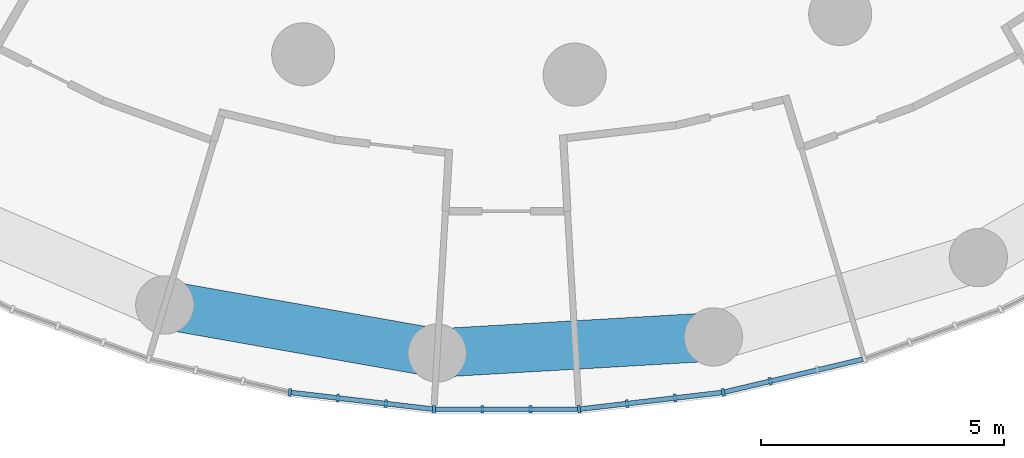
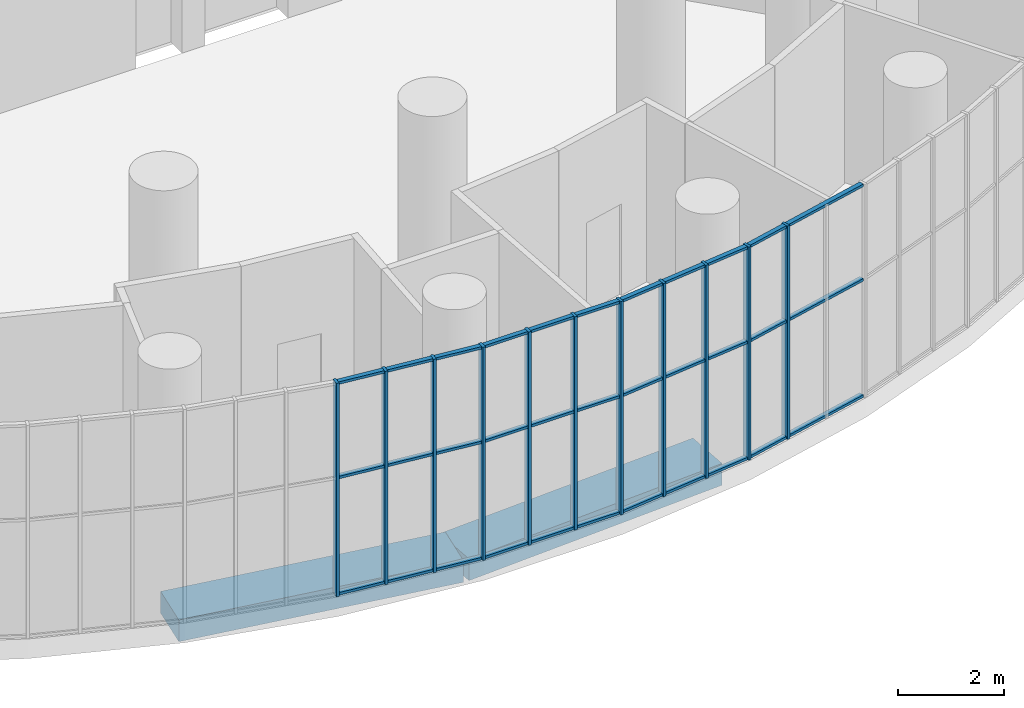
# One storey, part 3 of 21: 23 members, 2 beams, 4 elements without a shape of their own.
"""IFC4 building model written with IfcOpenShell, lengths in metres."""

from ifc_helpers import new_model, si_unit, direction, frame, origin, origin_2d, place, context, subcontext, project, spatial, rectangle, extrude, material, layer, layer_set, material_profile, profile_set, type_object, element, aggregate, save


model = new_model("IFC4")

# Units and contexts
model_context = context("Model", 3, precision=1e-05, world=origin(), true_north=direction((0.0, 1.0)))
body_context = subcontext(model_context, "Body", "Model", "MODEL_VIEW")
ifc_project = project(units=[si_unit("LENGTHUNIT", "METRE"), si_unit("AREAUNIT", "SQUARE_METRE"), si_unit("VOLUMEUNIT", "CUBIC_METRE"), si_unit("PLANEANGLEUNIT", "RADIAN"), si_unit("MASSUNIT", "GRAM", prefix="KILO")], contexts=[model_context])

# Site, building, storey
site_placement = place(None, origin())
site = spatial("IfcSite", under=ifc_project, at=site_placement, CompositionType="ELEMENT")
building_placement = place(site_placement, origin())
building = spatial("IfcBuilding", under=site, at=building_placement, Name="Tracery Tower", CompositionType="ELEMENT")
storey_placement = place(building_placement, frame((0.0, 0.0, 219.60009765625)))
storey = spatial("IfcBuildingStorey", under=building, at=storey_placement, Name="L57", CompositionType="ELEMENT", Elevation=219.60009765625)

# Beams
ifc_material_1 = material(Name="Concrete C50/60", Category="concrete")
ifc_material_profile_1 = material_profile(ifc_material_1, rectangle(XDim=1.0, YDim=0.5, at=origin_2d()), Name="RC 1000x500")
ifc_profile_set_1 = profile_set([ifc_material_profile_1], Name="Concrete C50/60")
beam_type = type_object("IfcBeamType", Name="Perimeter band beam 1000x500 under 450 slab", PredefinedType="BEAM", material=ifc_profile_set_1)
beam_1_placement = place(storey_placement, frame((-7.040283203125, -23.516357421875, -0.7001953125), z_axis=(0.984807266719, -0.173650935552, 0.0), x_axis=(0.173650935552, 0.984807266719, 0.0)))
element("IfcBeam", 1, at=beam_1_placement, inside=storey, type_object=beam_type, Name="Perimeter beam 1.19 under L57", PredefinedType="BEAM", context=body_context, shape_type="SweptSolid", body=[
    extrude(rectangle(XDim=1.0, YDim=0.5, at=origin_2d()), origin(), (0.0, 0.0, 1.0), 5.69970703125),
])
beam_2_placement = place(storey_placement, frame((-1.42724609375, -24.506103515625, -0.7001953125), z_axis=(0.99830920221, 0.058126902403, 0.0), x_axis=(-0.058126902403, 0.99830920221, 0.0)))
element("IfcBeam", 2, at=beam_2_placement, inside=storey, type_object=beam_type, Name="Perimeter beam 1.20 under L57", PredefinedType="BEAM", context=body_context, shape_type="SweptSolid", body=[
    extrude(rectangle(XDim=1.0, YDim=0.5, at=origin_2d()), origin(), (0.0, 0.0, 1.0), 5.699462890625),
])

# Curtain wall, members
ifc_material_2 = material(Name="Aluminium curtain wall with tinted glass", Category="aluminium")
ifc_layer = layer(ifc_material_2, 0.159912109375)
ifc_layer_set = layer_set([ifc_layer], Name="Sky lounge 2 tracery curtain wall")
curtain_wall_type = type_object("IfcCurtainWallType", Name="Sky lounge 2 tracery curtain wall", PredefinedType="NOTDEFINED", material=ifc_layer_set)
curtain_wall_1_placement = place(storey_placement, origin())
curtain_wall_1 = element("IfcCurtainWall", 3, at=curtain_wall_1_placement, inside=storey, type_object=curtain_wall_type, Name="Sky lounge 2 curtain wall run 40", PredefinedType="NOTDEFINED")
ifc_material_3 = material(Name="Aluminium, bronze anodised", Category="aluminium")
ifc_material_profile_2 = material_profile(ifc_material_3, rectangle(XDim=0.159912109375, YDim=0.06005859375, at=origin_2d()), Name="AL 60x160")
ifc_profile_set_2 = profile_set([ifc_material_profile_2], Name="Aluminium, bronze anodised")
member_type_1 = type_object("IfcMemberType", Name="Sky lounge 2 mullion 60 x 160", PredefinedType="MULLION", material=ifc_profile_set_2)
member_1_placement = place(storey_placement, frame((-4.464111328125, -25.31689453125, 0.0), z_axis=(0.0, 0.0, 1.0), x_axis=(0.116092914131, 0.993238357741, 0.0)))
member_1 = element("IfcMember", 4, at=member_1_placement, type_object=member_type_1, Name="Sky lounge 2 curtain wall run 40 mullion 1", PredefinedType="MULLION", context=body_context, shape_type="SweptSolid", body=[
    extrude(rectangle(XDim=0.159912109375, YDim=0.06005859375, at=origin_2d()), origin(), (0.0, 0.0, 1.0), 4.89990234375),
])
member_2_placement = place(storey_placement, frame((-3.474365234375, -25.4326171875, 0.0), z_axis=(0.0, 0.0, 1.0), x_axis=(0.116092914131, 0.993238357741, 0.0)))
member_2 = element("IfcMember", 5, at=member_2_placement, type_object=member_type_1, Name="Sky lounge 2 curtain wall run 40 mullion 2", PredefinedType="MULLION", context=body_context, shape_type="SweptSolid", body=[
    extrude(rectangle(XDim=0.159912109375, YDim=0.06005859375, at=origin_2d()), origin(), (0.0, 0.0, 1.0), 4.89990234375),
])
member_3_placement = place(storey_placement, frame((-2.484619140625, -25.54833984375, 0.0), z_axis=(0.0, 0.0, 1.0), x_axis=(0.116092914131, 0.993238357741, 0.0)))
member_3 = element("IfcMember", 6, at=member_3_placement, type_object=member_type_1, Name="Sky lounge 2 curtain wall run 40 mullion 3", PredefinedType="MULLION", context=body_context, shape_type="SweptSolid", body=[
    extrude(rectangle(XDim=0.159912109375, YDim=0.06005859375, at=origin_2d()), origin(), (0.0, 0.0, 1.0), 4.89990234375),
])

curtain_wall_2_placement = place(storey_placement, origin())
curtain_wall_2 = element("IfcCurtainWall", 7, at=curtain_wall_2_placement, inside=storey, type_object=curtain_wall_type, Name="Sky lounge 2 curtain wall run 41", PredefinedType="NOTDEFINED")
member_4_placement = place(storey_placement, frame((-1.494873046875, -25.6640625, 0.0), z_axis=(0.0, 0.0, 1.0), x_axis=(0.0, 1.0, 0.0)))
member_4 = element("IfcMember", 8, at=member_4_placement, type_object=member_type_1, Name="Sky lounge 2 curtain wall run 41 mullion 1", PredefinedType="MULLION", context=body_context, shape_type="SweptSolid", body=[
    extrude(rectangle(XDim=0.159912109375, YDim=0.06005859375, at=origin_2d()), origin(), (0.0, 0.0, 1.0), 4.89990234375),
])
member_5_placement = place(storey_placement, frame((-0.498291015625, -25.6640625, 0.0), z_axis=(0.0, 0.0, 1.0), x_axis=(0.0, 1.0, 0.0)))
member_5 = element("IfcMember", 9, at=member_5_placement, type_object=member_type_1, Name="Sky lounge 2 curtain wall run 41 mullion 2", PredefinedType="MULLION", context=body_context, shape_type="SweptSolid", body=[
    extrude(rectangle(XDim=0.159912109375, YDim=0.06005859375, at=origin_2d()), origin(), (0.0, 0.0, 1.0), 4.89990234375),
])
member_6_placement = place(storey_placement, frame((0.498291015625, -25.6640625, 0.0), z_axis=(0.0, 0.0, 1.0), x_axis=(0.0, 1.0, 0.0)))
member_6 = element("IfcMember", 10, at=member_6_placement, type_object=member_type_1, Name="Sky lounge 2 curtain wall run 41 mullion 3", PredefinedType="MULLION", context=body_context, shape_type="SweptSolid", body=[
    extrude(rectangle(XDim=0.159912109375, YDim=0.06005859375, at=origin_2d()), origin(), (0.0, 0.0, 1.0), 4.89990234375),
])

curtain_wall_3_placement = place(storey_placement, origin())
curtain_wall_3 = element("IfcCurtainWall", 11, at=curtain_wall_3_placement, inside=storey, type_object=curtain_wall_type, Name="Sky lounge 2 curtain wall run 42", PredefinedType="NOTDEFINED")
member_7_placement = place(storey_placement, frame((1.494873046875, -25.6640625, 0.0), z_axis=(0.0, 0.0, 1.0), x_axis=(-0.116092914131, 0.993238357741, 0.0)))
member_7 = element("IfcMember", 12, at=member_7_placement, type_object=member_type_1, Name="Sky lounge 2 curtain wall run 42 mullion 1", PredefinedType="MULLION", context=body_context, shape_type="SweptSolid", body=[
    extrude(rectangle(XDim=0.159912109375, YDim=0.06005859375, at=origin_2d()), origin(), (0.0, 0.0, 1.0), 4.89990234375),
])
member_8_placement = place(storey_placement, frame((2.484619140625, -25.54833984375, 0.0), z_axis=(0.0, 0.0, 1.0), x_axis=(-0.116092914131, 0.993238357741, 0.0)))
member_8 = element("IfcMember", 13, at=member_8_placement, type_object=member_type_1, Name="Sky lounge 2 curtain wall run 42 mullion 2", PredefinedType="MULLION", context=body_context, shape_type="SweptSolid", body=[
    extrude(rectangle(XDim=0.159912109375, YDim=0.06005859375, at=origin_2d()), origin(), (0.0, 0.0, 1.0), 4.89990234375),
])
member_9_placement = place(storey_placement, frame((3.474365234375, -25.4326171875, 0.0), z_axis=(0.0, 0.0, 1.0), x_axis=(-0.116092914131, 0.993238357741, 0.0)))
member_9 = element("IfcMember", 14, at=member_9_placement, type_object=member_type_1, Name="Sky lounge 2 curtain wall run 42 mullion 3", PredefinedType="MULLION", context=body_context, shape_type="SweptSolid", body=[
    extrude(rectangle(XDim=0.159912109375, YDim=0.06005859375, at=origin_2d()), origin(), (0.0, 0.0, 1.0), 4.89990234375),
])

curtain_wall_4_placement = place(storey_placement, origin())
curtain_wall_4 = element("IfcCurtainWall", 15, at=curtain_wall_4_placement, inside=storey, type_object=curtain_wall_type, Name="Sky lounge 2 curtain wall run 43", PredefinedType="NOTDEFINED")
member_10_placement = place(storey_placement, frame((4.464111328125, -25.31689453125, 0.0), z_axis=(0.0, 0.0, 1.0), x_axis=(-0.230615870737, 0.973044870581, 0.0)))
member_10 = element("IfcMember", 16, at=member_10_placement, type_object=member_type_1, Name="Sky lounge 2 curtain wall run 43 mullion 1", PredefinedType="MULLION", context=body_context, shape_type="SweptSolid", body=[
    extrude(rectangle(XDim=0.159912109375, YDim=0.06005859375, at=origin_2d()), origin(), (0.0, 0.0, 1.0), 4.89990234375),
])
member_11_placement = place(storey_placement, frame((5.43359375, -25.087158203125, 0.0), z_axis=(0.0, 0.0, 1.0), x_axis=(-0.230615870737, 0.973044870581, 0.0)))
member_11 = element("IfcMember", 17, at=member_11_placement, type_object=member_type_1, Name="Sky lounge 2 curtain wall run 43 mullion 2", PredefinedType="MULLION", context=body_context, shape_type="SweptSolid", body=[
    extrude(rectangle(XDim=0.159912109375, YDim=0.06005859375, at=origin_2d()), origin(), (0.0, 0.0, 1.0), 4.89990234375),
])

# Member
ifc_material_4 = material(Name="Aluminium, bronze anodised", Category="aluminium")
ifc_material_profile_3 = material_profile(ifc_material_4, rectangle(XDim=0.10009765625, YDim=0.06005859375, at=origin_2d()), Name="AL 60x100")
ifc_profile_set_3 = profile_set([ifc_material_profile_3], Name="Aluminium, bronze anodised")
member_type_2 = type_object("IfcMemberType", Name="Sky lounge 2 transom 60 x 100", PredefinedType="USERDEFINED", material=ifc_profile_set_3)
member_12_placement = place(storey_placement, frame((-4.434326171875, -25.320556640625, 0.02978515625), z_axis=(0.993238496271, -0.116091728923, 0.0), x_axis=(0.116091728923, 0.993238496271, 0.0)))
member_12 = element("IfcMember", 18, at=member_12_placement, type_object=member_type_2, Name="Sky lounge 2 curtain wall run 40 transom 1", ObjectType="TRANSOM", PredefinedType="USERDEFINED", context=body_context, shape_type="SweptSolid", body=[
    extrude(rectangle(XDim=0.10009765625, YDim=0.06005859375, at=origin_2d()), origin(), (0.0, 0.0, 1.0), 2.929443359375),
])

member_13_placement = place(storey_placement, frame((-4.434326171875, -25.320556640625, 2.699951171875), z_axis=(0.993238496271, -0.116091728923, 0.0), x_axis=(0.116091728923, 0.993238496271, 0.0)))
member_13 = element("IfcMember", 19, at=member_13_placement, type_object=member_type_2, Name="Sky lounge 2 curtain wall run 40 transom 2", ObjectType="TRANSOM", PredefinedType="USERDEFINED", context=body_context, shape_type="SweptSolid", body=[
    extrude(rectangle(XDim=0.10009765625, YDim=0.06005859375, at=origin_2d()), origin(), (0.0, 0.0, 1.0), 2.929443359375),
])

member_14_placement = place(storey_placement, frame((-4.434326171875, -25.320556640625, 4.869873046875), z_axis=(0.993238496271, -0.116091728923, 0.0), x_axis=(0.116091728923, 0.993238496271, 0.0)))
member_14 = element("IfcMember", 20, at=member_14_placement, type_object=member_type_2, Name="Sky lounge 2 curtain wall run 40 transom 3", ObjectType="TRANSOM", PredefinedType="USERDEFINED", context=body_context, shape_type="SweptSolid", body=[
    extrude(rectangle(XDim=0.10009765625, YDim=0.06005859375, at=origin_2d()), origin(), (0.0, 0.0, 1.0), 2.929443359375),
])

aggregate(curtain_wall_1, [member_1, member_2, member_3, member_12, member_13, member_14])

member_15_placement = place(storey_placement, frame((-1.46484375, -25.6640625, 0.02978515625), z_axis=(1.0, 0.0, 0.0), x_axis=(0.0, 1.0, 0.0)))
member_15 = element("IfcMember", 21, at=member_15_placement, type_object=member_type_2, Name="Sky lounge 2 curtain wall run 41 transom 1", ObjectType="TRANSOM", PredefinedType="USERDEFINED", context=body_context, shape_type="SweptSolid", body=[
    extrude(rectangle(XDim=0.10009765625, YDim=0.06005859375, at=origin_2d()), origin(), (0.0, 0.0, 1.0), 2.9296875),
])

member_16_placement = place(storey_placement, frame((-1.46484375, -25.6640625, 2.699951171875), z_axis=(1.0, 0.0, 0.0), x_axis=(0.0, 1.0, 0.0)))
member_16 = element("IfcMember", 22, at=member_16_placement, type_object=member_type_2, Name="Sky lounge 2 curtain wall run 41 transom 2", ObjectType="TRANSOM", PredefinedType="USERDEFINED", context=body_context, shape_type="SweptSolid", body=[
    extrude(rectangle(XDim=0.10009765625, YDim=0.06005859375, at=origin_2d()), origin(), (0.0, 0.0, 1.0), 2.9296875),
])

member_17_placement = place(storey_placement, frame((-1.46484375, -25.6640625, 4.869873046875), z_axis=(1.0, 0.0, 0.0), x_axis=(0.0, 1.0, 0.0)))
member_17 = element("IfcMember", 23, at=member_17_placement, type_object=member_type_2, Name="Sky lounge 2 curtain wall run 41 transom 3", ObjectType="TRANSOM", PredefinedType="USERDEFINED", context=body_context, shape_type="SweptSolid", body=[
    extrude(rectangle(XDim=0.10009765625, YDim=0.06005859375, at=origin_2d()), origin(), (0.0, 0.0, 1.0), 2.9296875),
])

aggregate(curtain_wall_2, [member_4, member_5, member_6, member_15, member_16, member_17])

member_18_placement = place(storey_placement, frame((1.524658203125, -25.66064453125, 0.02978515625), z_axis=(0.993238496271, 0.116091728923, 0.0), x_axis=(-0.116091728923, 0.993238496271, 0.0)))
member_18 = element("IfcMember", 24, at=member_18_placement, type_object=member_type_2, Name="Sky lounge 2 curtain wall run 42 transom 1", ObjectType="TRANSOM", PredefinedType="USERDEFINED", context=body_context, shape_type="SweptSolid", body=[
    extrude(rectangle(XDim=0.10009765625, YDim=0.06005859375, at=origin_2d()), origin(), (0.0, 0.0, 1.0), 2.929443359375),
])

member_19_placement = place(storey_placement, frame((1.524658203125, -25.66064453125, 2.699951171875), z_axis=(0.993238496271, 0.116091728923, 0.0), x_axis=(-0.116091728923, 0.993238496271, 0.0)))
member_19 = element("IfcMember", 25, at=member_19_placement, type_object=member_type_2, Name="Sky lounge 2 curtain wall run 42 transom 2", ObjectType="TRANSOM", PredefinedType="USERDEFINED", context=body_context, shape_type="SweptSolid", body=[
    extrude(rectangle(XDim=0.10009765625, YDim=0.06005859375, at=origin_2d()), origin(), (0.0, 0.0, 1.0), 2.929443359375),
])

member_20_placement = place(storey_placement, frame((1.524658203125, -25.66064453125, 4.869873046875), z_axis=(0.993238496271, 0.116091728923, 0.0), x_axis=(-0.116091728923, 0.993238496271, 0.0)))
member_20 = element("IfcMember", 26, at=member_20_placement, type_object=member_type_2, Name="Sky lounge 2 curtain wall run 42 transom 3", ObjectType="TRANSOM", PredefinedType="USERDEFINED", context=body_context, shape_type="SweptSolid", body=[
    extrude(rectangle(XDim=0.10009765625, YDim=0.06005859375, at=origin_2d()), origin(), (0.0, 0.0, 1.0), 2.929443359375),
])

aggregate(curtain_wall_3, [member_7, member_8, member_9, member_18, member_19, member_20])

member_21_placement = place(storey_placement, frame((4.4931640625, -25.31005859375, 0.02978515625), z_axis=(0.973049785609, 0.230595131619, 0.0), x_axis=(-0.230595131619, 0.973049785609, 0.0)))
member_21 = element("IfcMember", 27, at=member_21_placement, type_object=member_type_2, Name="Sky lounge 2 curtain wall run 43 transom 1", ObjectType="TRANSOM", PredefinedType="USERDEFINED", context=body_context, shape_type="SweptSolid", body=[
    extrude(rectangle(XDim=0.10009765625, YDim=0.06005859375, at=origin_2d()), origin(), (0.0, 0.0, 1.0), 2.929443359375),
])

member_22_placement = place(storey_placement, frame((4.4931640625, -25.31005859375, 2.699951171875), z_axis=(0.973049785609, 0.230595131619, 0.0), x_axis=(-0.230595131619, 0.973049785609, 0.0)))
member_22 = element("IfcMember", 28, at=member_22_placement, type_object=member_type_2, Name="Sky lounge 2 curtain wall run 43 transom 2", ObjectType="TRANSOM", PredefinedType="USERDEFINED", context=body_context, shape_type="SweptSolid", body=[
    extrude(rectangle(XDim=0.10009765625, YDim=0.06005859375, at=origin_2d()), origin(), (0.0, 0.0, 1.0), 2.929443359375),
])

member_23_placement = place(storey_placement, frame((4.4931640625, -25.31005859375, 4.869873046875), z_axis=(0.973049785609, 0.230595131619, 0.0), x_axis=(-0.230595131619, 0.973049785609, 0.0)))
member_23 = element("IfcMember", 29, at=member_23_placement, type_object=member_type_2, Name="Sky lounge 2 curtain wall run 43 transom 3", ObjectType="TRANSOM", PredefinedType="USERDEFINED", context=body_context, shape_type="SweptSolid", body=[
    extrude(rectangle(XDim=0.10009765625, YDim=0.06005859375, at=origin_2d()), origin(), (0.0, 0.0, 1.0), 2.929443359375),
])

aggregate(curtain_wall_4, [member_10, member_11, member_21, member_22, member_23])

save(model, "model.ifc")
